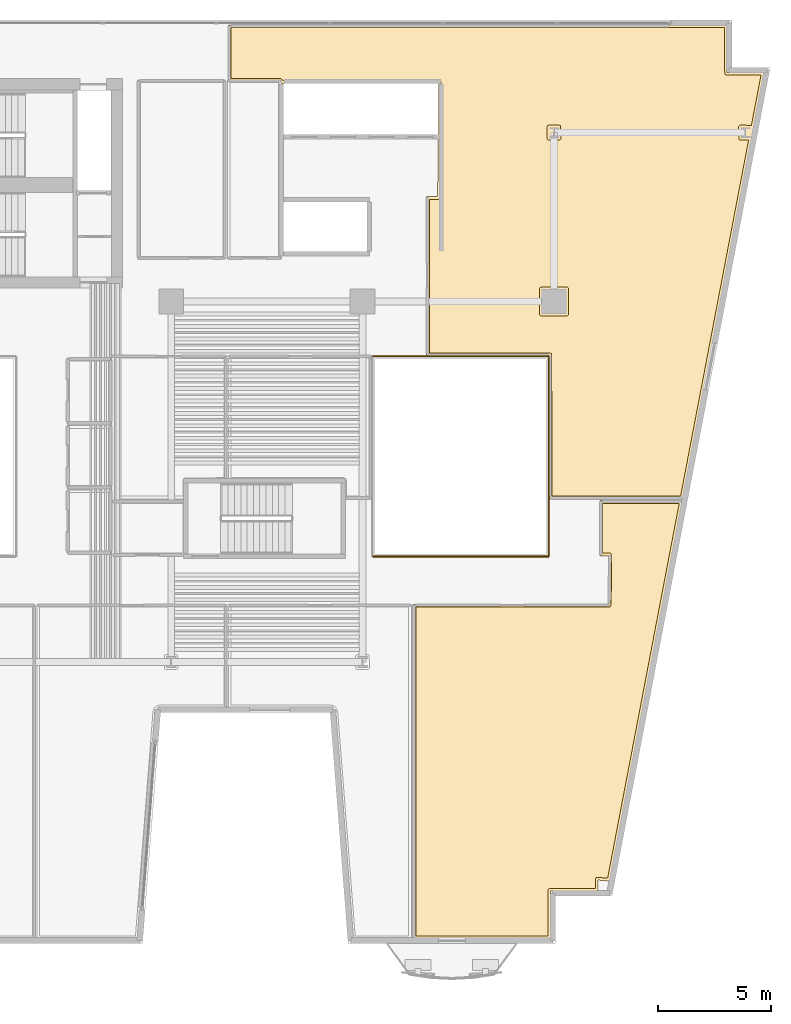
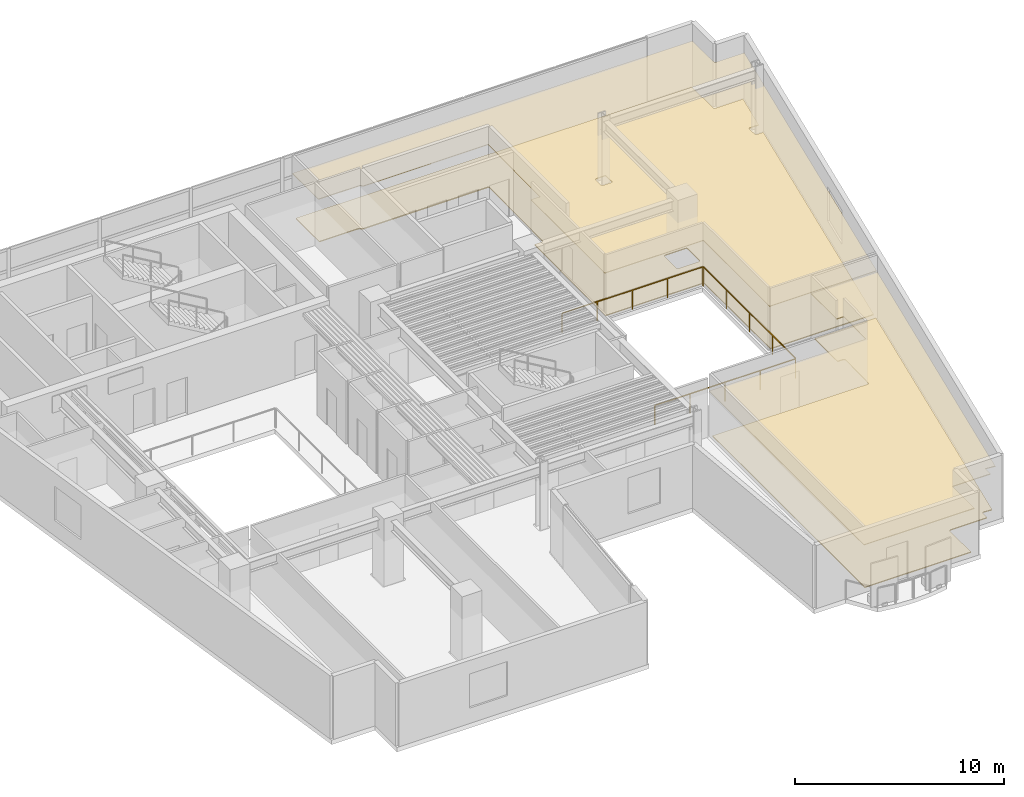
# One storey, part 11 of 12: 4 coverings, 3 railings.
"""IFC4 building model written with IfcOpenShell, lengths in metres."""

from ifc_helpers import new_model, si_unit, direction, frame, origin, origin_2d, place, context, subcontext, project, spatial, polyline, rectangle, outline, extrude, material, layer, layer_set, type_object, element, save


model = new_model("IFC4")

# Units and contexts
model_context = context("Model", 3, precision=1e-05, world=origin(), true_north=direction((0.0, 1.0)))
body_context = subcontext(model_context, "Body", "Model", "MODEL_VIEW")
ifc_project = project(units=[si_unit("LENGTHUNIT", "METRE"), si_unit("AREAUNIT", "SQUARE_METRE"), si_unit("VOLUMEUNIT", "CUBIC_METRE"), si_unit("PLANEANGLEUNIT", "RADIAN"), si_unit("MASSUNIT", "GRAM", prefix="KILO")], contexts=[model_context])

# Site, building, storey
site_placement = place(None, origin())
site = spatial("IfcSite", under=ifc_project, at=site_placement, CompositionType="ELEMENT")
building_placement = place(site_placement, origin())
building = spatial("IfcBuilding", under=site, at=building_placement, Name="Caeloran Harvest Quay", CompositionType="ELEMENT")
storey_placement = place(building_placement, frame((0.0, 0.0, 146.949951171875)))
storey = spatial("IfcBuildingStorey", under=building, at=storey_placement, Name="L34", CompositionType="ELEMENT", Elevation=146.949951171875)

# Coverings
ifc_material_1 = material(Name="Perforated Mineral-Fibre Acoustic Ceiling Tile", Category="ceiling")
ifc_layer_1 = layer(ifc_material_1, 0.0400390625, Name="Perforated Mineral-Fibre Acoustic Ceiling Tile")
ifc_layer_set_1 = layer_set([ifc_layer_1], Name="Perforated Mineral-Fibre Acoustic Ceiling Tile")
covering_type_1 = type_object("IfcCoveringType", Name="COV-CEILING-ACOUSTIC", PredefinedType="CEILING", material=ifc_layer_set_1)
covering_1_placement = place(storey_placement, frame((0.0, 0.0, 2.60009765625)))
element("IfcCovering", 1, at=covering_1_placement, inside=storey, type_object=covering_type_1, Name="Seed IP Legal Counsel Office Acoustic Ceiling", PredefinedType="CEILING", context=body_context, shape_type="SweptSolid", body=[
    extrude(outline(polyline([(44.5400390625, 19.7099609375), (44.5400390625, 22.159912109375), (48.20068359375, 22.159912109375), (44.974609375, 5.26708984375), (44.4599609375, 5.31591796875), (44.4599609375, 4.820068359375), (42.35009765625, 4.820068359375), (42.35009765625, 2.719970703125), (36.239990234375, 2.719970703125), (36.239990234375, 17.56005859375), (44.910400390625, 17.56005859375), (44.939453125, 19.7099609375), (44.5400390625, 19.7099609375)])), origin(), (0.0, 0.0, 1.0), 0.0400390625),
])
covering_2_placement = place(storey_placement, frame((0.0, 0.0, 2.60009765625)))
element("IfcCovering", 2, at=covering_2_placement, inside=storey, type_object=covering_type_1, Name="Seed IP Legal Counsel Office 11 Acoustic Ceiling", PredefinedType="CEILING", context=body_context, shape_type="SweptSolid", body=[
    extrude(outline(polyline([(48.2158203125, 22.239990234375), (42.2900390625, 22.239990234375), (42.2900390625, 28.590087890625), (36.840087890625, 28.590087890625), (36.840087890625, 35.659912109375), (37.330322265625, 35.659912109375), (37.36962890625, 40.68994140625), (30.44677734375, 40.669921875), (30.33544921875, 40.789794921875), (28.0400390625, 40.7900390625), (28.0400390625, 43.280029296875), (50.179931640625, 43.280029296875), (50.179931640625, 41.179931640625), (51.8330078125, 41.179931640625), (48.2158203125, 22.239990234375)])), origin(), (0.0, 0.0, 1.0), 0.0400390625),
])
ifc_material_2 = material(Name="Calcium-Sulphate Raised Access Floor and Terrazzo Finish", Category="flooring")
ifc_layer_2 = layer(ifc_material_2, 0.050048828125, Name="Calcium-Sulphate Raised Access Floor and Terrazzo Finish")
ifc_layer_set_2 = layer_set([ifc_layer_2], Name="Calcium-Sulphate Raised Access Floor and Terrazzo Finish")
covering_type_2 = type_object("IfcCoveringType", Name="COV-FLOOR-RAISED", PredefinedType="FLOORING", material=ifc_layer_set_2)
covering_3_placement = place(storey_placement, origin())
element("IfcCovering", 3, at=covering_3_placement, inside=storey, type_object=covering_type_2, Name="Seed IP Legal Counsel Office Raised Finish Flooring", PredefinedType="FLOORING", context=body_context, shape_type="SweptSolid", body=[
    extrude(outline(polyline([(44.659912109375, 19.830078125), (44.659912109375, 22.0400390625), (48.055419921875, 22.0400390625), (44.877197265625, 5.39697265625), (44.427490234375, 5.439453125), (44.369140625, 5.421630859375), (44.34033203125, 5.36767578125), (44.340087890625, 4.93994140625), (42.31005859375, 4.93994140625), (42.25341796875, 4.91650390625), (42.22998046875, 4.860107421875), (42.22998046875, 2.840087890625), (36.360107421875, 2.840087890625), (36.360107421875, 17.43994140625), (44.972900390625, 17.443359375), (45.030029296875, 17.518798828125), (45.059814453125, 19.7568359375), (44.99560546875, 19.828369140625), (44.659912109375, 19.830078125)])), origin(), (0.0, 0.0, 1.0), 0.050048828125),
])
covering_4_placement = place(storey_placement, origin())
element("IfcCovering", 4, at=covering_4_placement, inside=storey, type_object=covering_type_2, Name="Seed IP Legal Counsel Office 11 Raised Finish Flooring", PredefinedType="FLOORING", context=body_context, shape_type="SweptSolid", body=[
    extrude(outline(polyline([(50.06005859375, 43.159912109375), (50.078125, 41.089111328125), (50.132080078125, 41.060302734375), (51.68798828125, 41.06005859375), (51.260986328125, 38.82421875), (50.76513671875, 38.83154296875), (50.694580078125, 38.767578125), (50.70654296875, 38.20361328125), (50.76513671875, 38.16845703125), (51.135498046875, 38.16796875), (48.11669921875, 22.360107421875), (42.409912109375, 22.360107421875), (42.391845703125, 28.680908203125), (42.330078125, 28.7099609375), (36.9599609375, 28.7099609375), (36.9599609375, 35.5400390625), (37.377685546875, 35.540283203125), (37.44970703125, 35.611572265625), (37.476806640625, 40.774169921875), (37.409912109375, 40.81005859375), (30.498779296875, 40.7900390625), (30.352783203125, 40.909912109375), (28.159912109375, 40.909912109375), (28.159912109375, 43.159912109375), (50.06005859375, 43.159912109375)]), holes=[polyline([(41.93505859375, 31.64501953125), (41.87841796875, 31.62158203125), (41.85498046875, 31.56494140625), (41.85498046875, 30.43505859375), (41.87841796875, 30.37841796875), (41.93505859375, 30.35498046875), (43.06494140625, 30.35498046875), (43.12158203125, 30.37841796875), (43.14501953125, 30.43505859375), (43.14501953125, 31.56494140625), (43.12158203125, 31.62158203125), (43.06494140625, 31.64501953125), (41.93505859375, 31.64501953125)]), polyline([(42.806884765625, 38.248046875), (42.788818359375, 38.802734375), (42.73486328125, 38.83154296875), (42.27294921875, 38.83203125), (42.21630859375, 38.80859375), (42.193115234375, 38.751953125), (42.193115234375, 38.248046875), (42.21630859375, 38.19140625), (42.27294921875, 38.16796875), (42.72705078125, 38.16796875), (42.78369140625, 38.19140625), (42.806884765625, 38.248046875)])]), origin(), (0.0, 0.0, 1.0), 0.050048828125),
])

# Railings
ifc_material_3 = material(Name="Powder-Coated Steel Post and Laminated Glass Guardrail", Category="steel")
ifc_layer_3 = layer(ifc_material_3, 0.06005859375, Name="Powder-Coated Steel Post and Laminated Glass Guardrail")
ifc_layer_set_3 = layer_set([ifc_layer_3], Name="Powder-Coated Steel Post and Laminated Glass Guardrail")
railing_type = type_object("IfcRailingType", Name="GUARD-ATRIUM-1150", PredefinedType="GUARDRAIL", material=ifc_layer_set_3)
railing_1_placement = place(storey_placement, frame((34.4619140625, 19.679931640625, 0.0)))
element("IfcRailing", 5, at=railing_1_placement, inside=storey, type_object=railing_type, Name="L34 East Botanical Lightwell Guardrail Seg 1", PredefinedType="GUARDRAIL", context=body_context, shape_type="SweptSolid", body=[
    extrude(rectangle(XDim=0.048095703125, YDim=0.048095703125, at=origin_2d()), frame((0.0, 0.0, 1.1259765625), z_axis=(1.0, 0.0, 0.0), x_axis=(0.0, 1.0, 0.0)), (0.0, 0.0, 1.0), 7.776123046875),
    extrude(rectangle(XDim=0.0419921875, YDim=0.0419921875, at=origin_2d()), origin(), (0.0, 0.0, 1.0), 1.101806640625),
    extrude(rectangle(XDim=0.0419921875, YDim=0.0419921875, at=origin_2d()), frame((1.944091796875, 0.0, 0.0)), (0.0, 0.0, 1.0), 1.101806640625),
    extrude(rectangle(XDim=0.0419921875, YDim=0.0419921875, at=origin_2d()), frame((3.88818359375, 0.0, 0.0)), (0.0, 0.0, 1.0), 1.101806640625),
    extrude(rectangle(XDim=0.0419921875, YDim=0.0419921875, at=origin_2d()), frame((5.83203125, 0.0, 0.0)), (0.0, 0.0, 1.0), 1.101806640625),
    extrude(rectangle(XDim=0.0419921875, YDim=0.0419921875, at=origin_2d()), frame((7.776123046875, 0.0, 0.0)), (0.0, 0.0, 1.0), 1.101806640625),
])
railing_2_placement = place(storey_placement, frame((42.27001953125, 19.7119140625, 0.0)))
element("IfcRailing", 6, at=railing_2_placement, inside=storey, type_object=railing_type, Name="L34 East Botanical Lightwell Guardrail Seg 2", PredefinedType="GUARDRAIL", context=body_context, shape_type="SweptSolid", body=[
    extrude(rectangle(XDim=0.048095703125, YDim=0.048095703125, at=origin_2d()), frame((0.0, 0.0, 1.1259765625), z_axis=(0.0, 1.0, 0.0), x_axis=(-1.0, 0.0, 0.0)), (0.0, 0.0, 1.0), 8.826171875),
    extrude(rectangle(XDim=0.0419921875, YDim=0.0419921875, at=origin_2d()), origin(), (0.0, 0.0, 1.0), 1.101806640625),
    extrude(rectangle(XDim=0.0419921875, YDim=0.0419921875, at=origin_2d()), frame((0.0, 2.20654296875, 0.0)), (0.0, 0.0, 1.0), 1.101806640625),
    extrude(rectangle(XDim=0.0419921875, YDim=0.0419921875, at=origin_2d()), frame((0.0, 4.4130859375, 0.0)), (0.0, 0.0, 1.0), 1.101806640625),
    extrude(rectangle(XDim=0.0419921875, YDim=0.0419921875, at=origin_2d()), frame((0.0, 6.61962890625, 0.0)), (0.0, 0.0, 1.0), 1.101806640625),
    extrude(rectangle(XDim=0.0419921875, YDim=0.0419921875, at=origin_2d()), frame((0.0, 8.826171875, 0.0)), (0.0, 0.0, 1.0), 1.101806640625),
])
railing_3_placement = place(storey_placement, frame((42.238037109375, 28.570068359375, 0.0)))
element("IfcRailing", 7, at=railing_3_placement, inside=storey, type_object=railing_type, Name="L34 East Botanical Lightwell Guardrail Seg 3", PredefinedType="GUARDRAIL", context=body_context, shape_type="SweptSolid", body=[
    extrude(rectangle(XDim=0.048095703125, YDim=0.048095703125, at=origin_2d()), frame((0.0, 0.0, 1.1259765625), z_axis=(-1.0, 0.0, 0.0), x_axis=(0.0, -1.0, 0.0)), (0.0, 0.0, 1.0), 7.776123046875),
    extrude(rectangle(XDim=0.0419921875, YDim=0.0419921875, at=origin_2d()), origin(), (0.0, 0.0, 1.0), 1.101806640625),
    extrude(rectangle(XDim=0.0419921875, YDim=0.0419921875, at=origin_2d()), frame((-1.944091796875, 0.0, 0.0)), (0.0, 0.0, 1.0), 1.101806640625),
    extrude(rectangle(XDim=0.0419921875, YDim=0.0419921875, at=origin_2d()), frame((-3.88818359375, 0.0, 0.0)), (0.0, 0.0, 1.0), 1.101806640625),
    extrude(rectangle(XDim=0.0419921875, YDim=0.0419921875, at=origin_2d()), frame((-5.83203125, 0.0, 0.0)), (0.0, 0.0, 1.0), 1.101806640625),
    extrude(rectangle(XDim=0.0419921875, YDim=0.0419921875, at=origin_2d()), frame((-7.776123046875, 0.0, 0.0)), (0.0, 0.0, 1.0), 1.101806640625),
])

save(model, "model.ifc")
